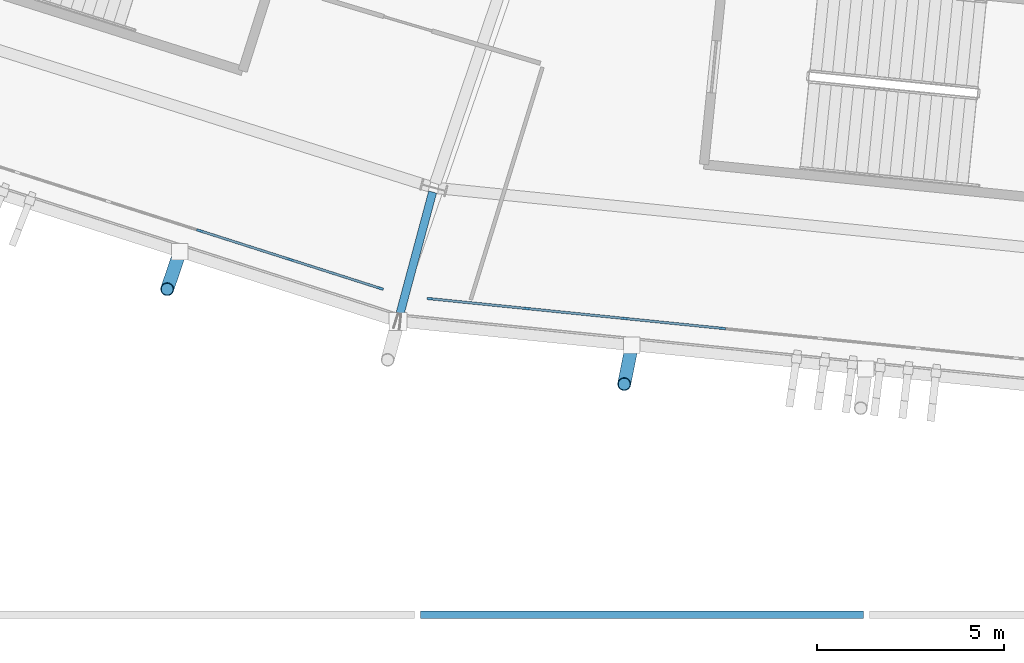
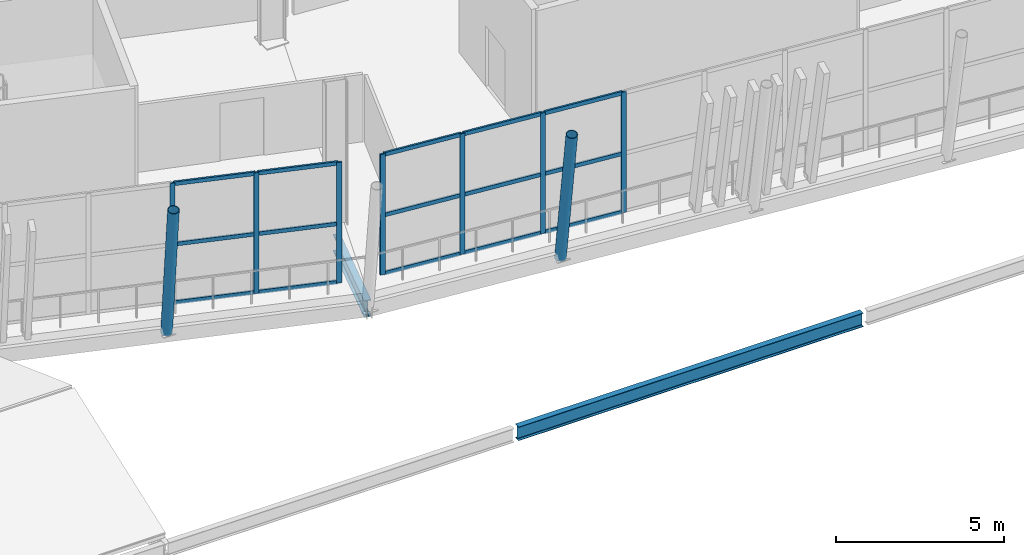
# One storey, part 30 of 168: 24 members, 2 beams, 2 elements without a shape of their own.
"""IFC4 building model written with IfcOpenShell, lengths in metres."""

from ifc_helpers import new_model, si_unit, direction, frame, origin, origin_2d, place, context, subcontext, project, spatial, rectangle, hollow_circle, i_section, extrude, material, material_profile, profile_set, type_object, element, aggregate, save


model = new_model("IFC4")

# Units and contexts
model_context = context("Model", 3, precision=1e-05, world=origin(), true_north=direction((0.0, 1.0)))
body_context = subcontext(model_context, "Body", "Model", "MODEL_VIEW")
ifc_project = project(units=[si_unit("LENGTHUNIT", "METRE"), si_unit("AREAUNIT", "SQUARE_METRE"), si_unit("VOLUMEUNIT", "CUBIC_METRE"), si_unit("PLANEANGLEUNIT", "RADIAN"), si_unit("MASSUNIT", "GRAM", prefix="KILO")], contexts=[model_context])

# Site, building, storey
site_placement = place(None, origin())
site = spatial("IfcSite", under=ifc_project, at=site_placement, CompositionType="ELEMENT")
building_placement = place(site_placement, origin())
building = spatial("IfcBuilding", under=site, at=building_placement, Name="Zlatoyarsky Gate Stadium", CompositionType="ELEMENT")
storey_placement = place(building_placement, frame((0.0, 0.0, 15.60009765625)))
storey = spatial("IfcBuildingStorey", under=building, at=storey_placement, Name="L03", CompositionType="ELEMENT", Elevation=15.60009765625)

# Curtain wall, members
ifc_material_1 = material(Name="Thermally broken anodised aluminium curtain wall", Category="aluminium")
curtain_wall_type = type_object("IfcCurtainWallType", Name="UNITISED CORPORATE BOX GLAZING L03", PredefinedType="USERDEFINED", material=ifc_material_1)
curtain_wall_1_placement = place(storey_placement, origin())
curtain_wall_1 = element("IfcCurtainWall", 1, at=curtain_wall_1_placement, inside=storey, type_object=curtain_wall_type, Name="Curtain wall CW-L03-16", ObjectType="UNITISED GLAZING", PredefinedType="USERDEFINED")
ifc_material_2 = material(Name="Anodised aluminium 6063-T6", Category="aluminium")
ifc_material_profile_1 = material_profile(ifc_material_2, rectangle(XDim=0.06494140625, YDim=0.159912109375, at=origin_2d()), Name="ALU 65X160")
ifc_profile_set_1 = profile_set([ifc_material_profile_1], Name="Anodised aluminium 6063-T6")
member_type_1 = type_object("IfcMemberType", Name="ALUMINIUM MULLION 65X160", PredefinedType="MULLION", material=ifc_profile_set_1)
member_1_placement = place(storey_placement, frame((80.66357421875, 10.27197265625, 0.0), z_axis=(0.0, 0.0, 1.0), x_axis=(0.304162129597, 0.952620280552, 0.0)))
member_1 = element("IfcMember", 2, at=member_1_placement, type_object=member_type_1, Name="CW-UG3 mullion 8", PredefinedType="MULLION", context=body_context, shape_type="SweptSolid", body=[
    extrude(rectangle(XDim=0.06494140625, YDim=0.159912109375, at=origin_2d()), origin(), (0.0, 0.0, 1.0), 4.3798828125),
])
member_2_placement = place(storey_placement, frame((83.0986328125, 9.49462890625, 0.0), z_axis=(0.0, 0.0, 1.0), x_axis=(0.304162129597, 0.952620280552, 0.0)))
member_2 = element("IfcMember", 3, at=member_2_placement, type_object=member_type_1, Name="CW-UG3 mullion 9", PredefinedType="MULLION", context=body_context, shape_type="SweptSolid", body=[
    extrude(rectangle(XDim=0.06494140625, YDim=0.159912109375, at=origin_2d()), origin(), (0.0, 0.0, 1.0), 4.3798828125),
])
member_3_placement = place(storey_placement, frame((85.502685546875, 8.72705078125, 0.0), z_axis=(0.0, 0.0, 1.0), x_axis=(0.304162129597, 0.952620280552, 0.0)))
member_3 = element("IfcMember", 4, at=member_3_placement, type_object=member_type_1, Name="CW-UG3 mullion 10", PredefinedType="MULLION", context=body_context, shape_type="SweptSolid", body=[
    extrude(rectangle(XDim=0.06494140625, YDim=0.159912109375, at=origin_2d()), origin(), (0.0, 0.0, 1.0), 4.3798828125),
])

curtain_wall_2_placement = place(storey_placement, origin())
curtain_wall_2 = element("IfcCurtainWall", 5, at=curtain_wall_2_placement, inside=storey, type_object=curtain_wall_type, Name="Curtain wall CW-L03-17", ObjectType="UNITISED GLAZING", PredefinedType="USERDEFINED")
member_4_placement = place(storey_placement, frame((86.831787109375, 8.450439453125, 0.0), z_axis=(0.0, 0.0, 1.0), x_axis=(0.100968176403, 0.994889655868, 0.0)))
member_4 = element("IfcMember", 6, at=member_4_placement, type_object=member_type_1, Name="CW-UG3 mullion 1", PredefinedType="MULLION", context=body_context, shape_type="SweptSolid", body=[
    extrude(rectangle(XDim=0.06494140625, YDim=0.159912109375, at=origin_2d()), origin(), (0.0, 0.0, 1.0), 4.3798828125),
])
member_5_placement = place(storey_placement, frame((89.41650390625, 8.188232421875, 0.0), z_axis=(0.0, 0.0, 1.0), x_axis=(0.100968176403, 0.994889655868, 0.0)))
member_5 = element("IfcMember", 7, at=member_5_placement, type_object=member_type_1, Name="CW-UG3 mullion 2", PredefinedType="MULLION", context=body_context, shape_type="SweptSolid", body=[
    extrude(rectangle(XDim=0.06494140625, YDim=0.159912109375, at=origin_2d()), origin(), (0.0, 0.0, 1.0), 4.3798828125),
])
member_6_placement = place(storey_placement, frame((92.03369140625, 7.922607421875, 0.0), z_axis=(0.0, 0.0, 1.0), x_axis=(0.100968176403, 0.994889655868, 0.0)))
member_6 = element("IfcMember", 8, at=member_6_placement, type_object=member_type_1, Name="CW-UG3 mullion 3", PredefinedType="MULLION", context=body_context, shape_type="SweptSolid", body=[
    extrude(rectangle(XDim=0.06494140625, YDim=0.159912109375, at=origin_2d()), origin(), (0.0, 0.0, 1.0), 4.3798828125),
])
member_7_placement = place(storey_placement, frame((94.65087890625, 7.656982421875, 0.0), z_axis=(0.0, 0.0, 1.0), x_axis=(0.100968176403, 0.994889655868, 0.0)))
member_7 = element("IfcMember", 9, at=member_7_placement, type_object=member_type_1, Name="CW-UG3 mullion 4", PredefinedType="MULLION", context=body_context, shape_type="SweptSolid", body=[
    extrude(rectangle(XDim=0.06494140625, YDim=0.159912109375, at=origin_2d()), origin(), (0.0, 0.0, 1.0), 4.3798828125),
])

# Member
ifc_material_profile_2 = material_profile(ifc_material_2, rectangle(XDim=0.06494140625, YDim=0.139892578125, at=origin_2d()), Name="ALU 65X140")
ifc_profile_set_2 = profile_set([ifc_material_profile_2], Name="Anodised aluminium 6063-T6")
member_type_2 = type_object("IfcMemberType", Name="ALUMINIUM TRANSOM 65X140", PredefinedType="USERDEFINED", material=ifc_profile_set_2)
member_8_placement = place(storey_placement, frame((80.6943359375, 10.26220703125, 0.032470703125), z_axis=(0.952615115267, -0.304178306531, 0.0), x_axis=(0.304178306531, 0.952615115267, 0.0)))
member_8 = element("IfcMember", 10, at=member_8_placement, type_object=member_type_2, Name="CW-UG3 transom 8.1", ObjectType="TRANSOM", PredefinedType="USERDEFINED", context=body_context, shape_type="SweptSolid", body=[
    extrude(rectangle(XDim=0.06494140625, YDim=0.139892578125, at=origin_2d()), origin(), (0.0, 0.0, 1.0), 2.491455078125),
])

member_9_placement = place(storey_placement, frame((80.6943359375, 10.26220703125, 2.14990234375), z_axis=(0.952615115267, -0.304178306531, 0.0), x_axis=(0.304178306531, 0.952615115267, 0.0)))
member_9 = element("IfcMember", 11, at=member_9_placement, type_object=member_type_2, Name="CW-UG3 transom 8.2", ObjectType="TRANSOM", PredefinedType="USERDEFINED", context=body_context, shape_type="SweptSolid", body=[
    extrude(rectangle(XDim=0.06494140625, YDim=0.139892578125, at=origin_2d()), origin(), (0.0, 0.0, 1.0), 2.491455078125),
])

member_10_placement = place(storey_placement, frame((80.6943359375, 10.26220703125, 4.347412109375), z_axis=(0.952615115267, -0.304178306531, 0.0), x_axis=(0.304178306531, 0.952615115267, 0.0)))
member_10 = element("IfcMember", 12, at=member_10_placement, type_object=member_type_2, Name="CW-UG3 transom 8.3", ObjectType="TRANSOM", PredefinedType="USERDEFINED", context=body_context, shape_type="SweptSolid", body=[
    extrude(rectangle(XDim=0.06494140625, YDim=0.139892578125, at=origin_2d()), origin(), (0.0, 0.0, 1.0), 2.491455078125),
])

member_11_placement = place(storey_placement, frame((83.12939453125, 9.484619140625, 0.032470703125), z_axis=(0.952627998304, -0.304137956932, 0.0), x_axis=(0.304137956932, 0.952627998304, 0.0)))
member_11 = element("IfcMember", 13, at=member_11_placement, type_object=member_type_2, Name="CW-UG3 transom 9.1", ObjectType="TRANSOM", PredefinedType="USERDEFINED", context=body_context, shape_type="SweptSolid", body=[
    extrude(rectangle(XDim=0.06494140625, YDim=0.139892578125, at=origin_2d()), origin(), (0.0, 0.0, 1.0), 2.458740234375),
])

member_12_placement = place(storey_placement, frame((83.12939453125, 9.484619140625, 2.14990234375), z_axis=(0.952627998304, -0.304137956932, 0.0), x_axis=(0.304137956932, 0.952627998304, 0.0)))
member_12 = element("IfcMember", 14, at=member_12_placement, type_object=member_type_2, Name="CW-UG3 transom 9.2", ObjectType="TRANSOM", PredefinedType="USERDEFINED", context=body_context, shape_type="SweptSolid", body=[
    extrude(rectangle(XDim=0.06494140625, YDim=0.139892578125, at=origin_2d()), origin(), (0.0, 0.0, 1.0), 2.458740234375),
])

member_13_placement = place(storey_placement, frame((83.12939453125, 9.484619140625, 4.347412109375), z_axis=(0.952627998304, -0.304137956932, 0.0), x_axis=(0.304137956932, 0.952627998304, 0.0)))
member_13 = element("IfcMember", 15, at=member_13_placement, type_object=member_type_2, Name="CW-UG3 transom 9.3", ObjectType="TRANSOM", PredefinedType="USERDEFINED", context=body_context, shape_type="SweptSolid", body=[
    extrude(rectangle(XDim=0.06494140625, YDim=0.139892578125, at=origin_2d()), origin(), (0.0, 0.0, 1.0), 2.458740234375),
])

aggregate(curtain_wall_1, [member_1, member_2, member_3, member_8, member_9, member_10, member_11, member_12, member_13])

member_14_placement = place(storey_placement, frame((86.8642578125, 8.447265625, 0.032470703125), z_axis=(0.994885267415, -0.101011408666, 0.0), x_axis=(0.101011408666, 0.994885267415, 0.0)))
member_14 = element("IfcMember", 16, at=member_14_placement, type_object=member_type_2, Name="CW-UG3 transom 1.1", ObjectType="TRANSOM", PredefinedType="USERDEFINED", context=body_context, shape_type="SweptSolid", body=[
    extrude(rectangle(XDim=0.06494140625, YDim=0.139892578125, at=origin_2d()), origin(), (0.0, 0.0, 1.0), 2.532958984375),
])

member_15_placement = place(storey_placement, frame((86.8642578125, 8.447265625, 2.14990234375), z_axis=(0.994885267415, -0.101011408666, 0.0), x_axis=(0.101011408666, 0.994885267415, 0.0)))
member_15 = element("IfcMember", 17, at=member_15_placement, type_object=member_type_2, Name="CW-UG3 transom 1.2", ObjectType="TRANSOM", PredefinedType="USERDEFINED", context=body_context, shape_type="SweptSolid", body=[
    extrude(rectangle(XDim=0.06494140625, YDim=0.139892578125, at=origin_2d()), origin(), (0.0, 0.0, 1.0), 2.532958984375),
])

member_16_placement = place(storey_placement, frame((86.8642578125, 8.447265625, 4.347412109375), z_axis=(0.994885267415, -0.101011408666, 0.0), x_axis=(0.101011408666, 0.994885267415, 0.0)))
member_16 = element("IfcMember", 18, at=member_16_placement, type_object=member_type_2, Name="CW-UG3 transom 1.3", ObjectType="TRANSOM", PredefinedType="USERDEFINED", context=body_context, shape_type="SweptSolid", body=[
    extrude(rectangle(XDim=0.06494140625, YDim=0.139892578125, at=origin_2d()), origin(), (0.0, 0.0, 1.0), 2.532958984375),
])

member_17_placement = place(storey_placement, frame((89.448974609375, 8.184814453125, 0.032470703125), z_axis=(0.994890082067, -0.100963976765, 0.0), x_axis=(0.100963976765, 0.994890082067, 0.0)))
member_17 = element("IfcMember", 19, at=member_17_placement, type_object=member_type_2, Name="CW-UG3 transom 2.1", ObjectType="TRANSOM", PredefinedType="USERDEFINED", context=body_context, shape_type="SweptSolid", body=[
    extrude(rectangle(XDim=0.06494140625, YDim=0.139892578125, at=origin_2d()), origin(), (0.0, 0.0, 1.0), 2.565673828125),
])

member_18_placement = place(storey_placement, frame((89.448974609375, 8.184814453125, 2.14990234375), z_axis=(0.994890082067, -0.100963976765, 0.0), x_axis=(0.100963976765, 0.994890082067, 0.0)))
member_18 = element("IfcMember", 20, at=member_18_placement, type_object=member_type_2, Name="CW-UG3 transom 2.2", ObjectType="TRANSOM", PredefinedType="USERDEFINED", context=body_context, shape_type="SweptSolid", body=[
    extrude(rectangle(XDim=0.06494140625, YDim=0.139892578125, at=origin_2d()), origin(), (0.0, 0.0, 1.0), 2.565673828125),
])

member_19_placement = place(storey_placement, frame((89.448974609375, 8.184814453125, 4.347412109375), z_axis=(0.994890082067, -0.100963976765, 0.0), x_axis=(0.100963976765, 0.994890082067, 0.0)))
member_19 = element("IfcMember", 21, at=member_19_placement, type_object=member_type_2, Name="CW-UG3 transom 2.3", ObjectType="TRANSOM", PredefinedType="USERDEFINED", context=body_context, shape_type="SweptSolid", body=[
    extrude(rectangle(XDim=0.06494140625, YDim=0.139892578125, at=origin_2d()), origin(), (0.0, 0.0, 1.0), 2.565673828125),
])

member_20_placement = place(storey_placement, frame((92.06591796875, 7.91943359375, 0.032470703125), z_axis=(0.994890082067, -0.100963976765, 0.0), x_axis=(0.100963976765, 0.994890082067, 0.0)))
member_20 = element("IfcMember", 22, at=member_20_placement, type_object=member_type_2, Name="CW-UG3 transom 3.1", ObjectType="TRANSOM", PredefinedType="USERDEFINED", context=body_context, shape_type="SweptSolid", body=[
    extrude(rectangle(XDim=0.06494140625, YDim=0.139892578125, at=origin_2d()), origin(), (0.0, 0.0, 1.0), 2.565673828125),
])

member_21_placement = place(storey_placement, frame((92.06591796875, 7.91943359375, 2.14990234375), z_axis=(0.994890082067, -0.100963976765, 0.0), x_axis=(0.100963976765, 0.994890082067, 0.0)))
member_21 = element("IfcMember", 23, at=member_21_placement, type_object=member_type_2, Name="CW-UG3 transom 3.2", ObjectType="TRANSOM", PredefinedType="USERDEFINED", context=body_context, shape_type="SweptSolid", body=[
    extrude(rectangle(XDim=0.06494140625, YDim=0.139892578125, at=origin_2d()), origin(), (0.0, 0.0, 1.0), 2.565673828125),
])

member_22_placement = place(storey_placement, frame((92.06591796875, 7.91943359375, 4.347412109375), z_axis=(0.994890082067, -0.100963976765, 0.0), x_axis=(0.100963976765, 0.994890082067, 0.0)))
member_22 = element("IfcMember", 24, at=member_22_placement, type_object=member_type_2, Name="CW-UG3 transom 3.3", ObjectType="TRANSOM", PredefinedType="USERDEFINED", context=body_context, shape_type="SweptSolid", body=[
    extrude(rectangle(XDim=0.06494140625, YDim=0.139892578125, at=origin_2d()), origin(), (0.0, 0.0, 1.0), 2.565673828125),
])

aggregate(curtain_wall_2, [member_4, member_5, member_6, member_7, member_14, member_15, member_16, member_17, member_18, member_19, member_20, member_21, member_22])

# Beams
ifc_material_3 = material(Name="Steel S355", Category="steel")
ifc_material_profile_3 = material_profile(ifc_material_3, i_section(OverallWidth=0.219970703125, OverallDepth=0.60009765625, WebThickness=0.011962890625, FlangeThickness=0.01904296875, FilletRadius=0.02392578125, at=origin_2d()), Name="IPE 600")
ifc_profile_set_3 = profile_set([ifc_material_profile_3], Name="Steel S355")
beam_type_1 = type_object("IfcBeamType", Name="STEEL CANTILEVER FLOOR BEAM IPE 600", PredefinedType="BEAM", material=ifc_profile_set_3)
beam_1_placement = place(storey_placement, frame((86.898681640625, 11.303466796875, -0.580078125), z_axis=(-0.258778100346, -0.965936796473, 0.0), x_axis=(0.965936796473, -0.258778100346, 0.0)))
element("IfcBeam", 25, at=beam_1_placement, inside=storey, type_object=beam_type_1, Name="Beam B-IPE600 BM-L03-OUT-17", PredefinedType="BEAM", context=body_context, shape_type="SweptSolid", body=[
    extrude(i_section(OverallWidth=0.219970703125, OverallDepth=0.60009765625, WebThickness=0.011962890625, FlangeThickness=0.01904296875, FilletRadius=0.02392578125, at=origin_2d()), origin(), (0.0, 0.0, 1.0), 3.582275390625),
])
ifc_material_profile_4 = material_profile(ifc_material_3, i_section(OverallWidth=0.199951171875, OverallDepth=0.5, WebThickness=0.01025390625, FlangeThickness=0.01611328125, FilletRadius=0.02099609375, at=origin_2d()), Name="IPE 500")
ifc_profile_set_4 = profile_set([ifc_material_profile_4], Name="Steel S355")
beam_type_2 = type_object("IfcBeamType", Name="STEEL FLOOR BEAM IPE 500", PredefinedType="BEAM", material=ifc_profile_set_4)
beam_2_placement = place(storey_placement, frame((86.580078125, 0.0, -0.530029296875), z_axis=(1.0, 0.0, 0.0), x_axis=(0.0, 1.0, 0.0)))
element("IfcBeam", 26, at=beam_2_placement, inside=storey, type_object=beam_type_2, Name="Beam B-IPE500 BM-L03-WGX-8-A", PredefinedType="BEAM", context=body_context, shape_type="SweptSolid", body=[
    extrude(i_section(OverallWidth=0.199951171875, OverallDepth=0.5, WebThickness=0.01025390625, FlangeThickness=0.01611328125, FilletRadius=0.02099609375, at=origin_2d()), origin(), (0.0, 0.0, 1.0), 11.83984375),
])

# Members
ifc_material_profile_5 = material_profile(ifc_material_3, hollow_circle(Radius=0.177734375, WallThickness=0.02001953125, at=origin_2d()), Name="CHS 355.6X20")
ifc_profile_set_5 = profile_set([ifc_material_profile_5], Name="Steel S355")
member_type_3 = type_object("IfcMemberType", Name="STEEL LEANING RIB RING STRUT CHS 355.6X20", PredefinedType="STRUT", material=ifc_profile_set_5)
for number, where, z_axis, x_axis, name in (
    (27, (80.140869140625, 9.708984375, -0.530029296875), (-0.064412909996, -0.189960366827, 0.979676495615), (0.947036218276, -0.321126768229, 0.0), "Outward-leaning bowl louvre fin rib L03 16-3"),
    (28, (92.228759765625, 7.206787109375, -0.530029296875), (-0.039201945037, -0.196702339053, 0.979679231849), (0.980713266813, -0.195452010217, 0.0), "Outward-leaning bowl louvre fin rib L03 17-1"),
):
    element("IfcMember", number, at=place(storey_placement, frame(where, z_axis=z_axis, x_axis=x_axis)), inside=storey, type_object=member_type_3, Name=name, PredefinedType="STRUT", context=body_context, shape_type="SweptSolid", body=[
        extrude(hollow_circle(Radius=0.177734375, WallThickness=0.02001953125, at=origin_2d()), origin(), (0.0, 0.0, 1.0), 5.287353515625),
    ])

save(model, "model.ifc")
